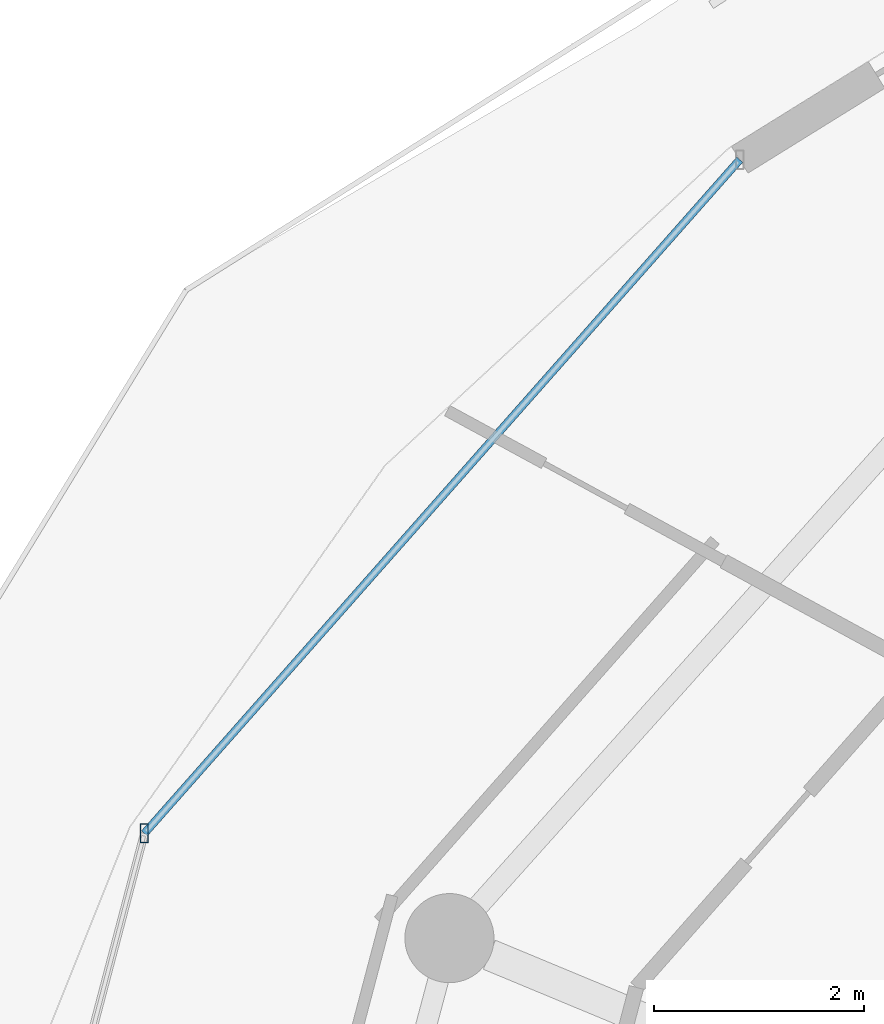
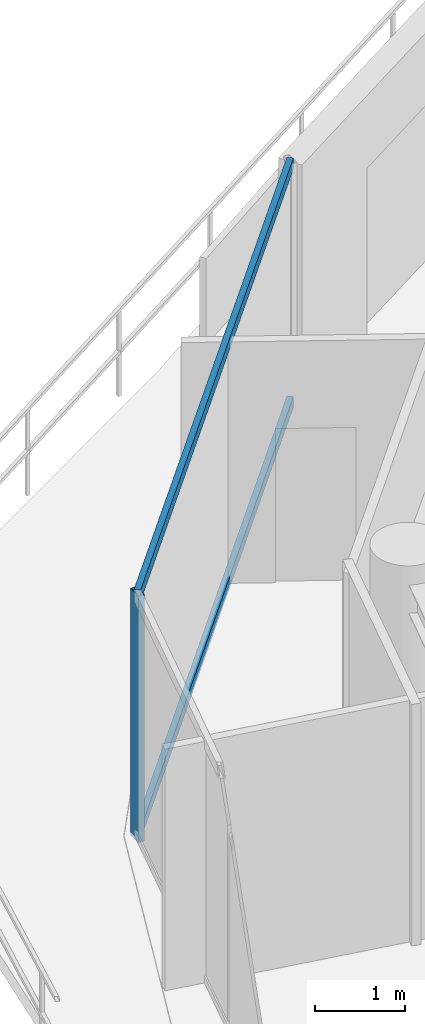
# One storey, part 8 of 29: 3 members, 1 element without a shape of its own.
"""IFC4 building model written with IfcOpenShell, lengths in metres."""

from ifc_helpers import new_model, si_unit, direction, frame, origin, origin_2d, place, context, subcontext, project, spatial, hollow_rectangle, extrude, material, material_profile, profile_set, type_object, element, aggregate, save


model = new_model("IFC4")

# Units and contexts
model_context = context("Model", 3, precision=1e-05, world=origin(), true_north=direction((0.0, 1.0)))
body_context = subcontext(model_context, "Body", "Model", "MODEL_VIEW")
ifc_project = project(units=[si_unit("LENGTHUNIT", "METRE"), si_unit("AREAUNIT", "SQUARE_METRE"), si_unit("VOLUMEUNIT", "CUBIC_METRE"), si_unit("PLANEANGLEUNIT", "RADIAN"), si_unit("MASSUNIT", "GRAM", prefix="KILO")], contexts=[model_context])

# Site, building, storey
site_placement = place(None, origin())
site = spatial("IfcSite", under=ifc_project, at=site_placement, CompositionType="ELEMENT")
building_placement = place(site_placement, origin())
building = spatial("IfcBuilding", under=site, at=building_placement, Name="Vorneva Point Tower", CompositionType="ELEMENT")
storey_placement = place(building_placement, frame((0.0, 0.0, 273.300048828125)))
storey = spatial("IfcBuildingStorey", under=building, at=storey_placement, Name="L74", CompositionType="ELEMENT", Elevation=273.300048828125)

# Curtain wall, members
ifc_material = material(Name="Pale anodised aluminium", Category="aluminium")
curtain_wall_type = type_object("IfcCurtainWallType", Name="CW-RES-SYS", PredefinedType="NOTDEFINED", material=ifc_material)
curtain_wall_placement = place(storey_placement, origin())
curtain_wall = element("IfcCurtainWall", 1, at=curtain_wall_placement, inside=storey, type_object=curtain_wall_type, Name="L74 Unitised Curtain Wall CW-L74-R03", PredefinedType="NOTDEFINED")
ifc_material_profile_1 = material_profile(ifc_material, hollow_rectangle(XDim=0.074951171875, YDim=0.179931640625, WallThickness=0.00390625, at=origin_2d()), Name="AL-MUL 180x75x4")
ifc_profile_set_1 = profile_set([ifc_material_profile_1], Name="Pale anodised aluminium")
member_type_1 = type_object("IfcMemberType", Name="CW-MUL-180", PredefinedType="MULLION", material=ifc_profile_set_1)
member_1_placement = place(storey_placement, frame((13.79443359375, 33.5810546875, -0.0400390625), z_axis=(0.0, 0.0, 1.0), x_axis=(1.0, 0.0, 0.0)))
member_1 = element("IfcMember", 2, at=member_1_placement, type_object=member_type_1, Name="CW-L74-R03 Mullion 02", PredefinedType="MULLION", context=body_context, shape_type="SweptSolid", body=[
    extrude(hollow_rectangle(XDim=0.074951171875, YDim=0.179931640625, WallThickness=0.00390625, at=origin_2d()), origin(), (0.0, 0.0, 1.0), 3.360107421875),
])
ifc_material_profile_2 = material_profile(ifc_material, hollow_rectangle(XDim=0.074951171875, YDim=0.14990234375, WallThickness=0.00390625, at=origin_2d()), Name="AL-TRN 150x75x4")
ifc_profile_set_2 = profile_set([ifc_material_profile_2], Name="Pale anodised aluminium")
member_type_2 = type_object("IfcMemberType", Name="CW-TRN-150", PredefinedType="USERDEFINED", material=ifc_profile_set_2)
member_2_placement = place(storey_placement, frame((19.473876953125, 40.0078125, 0.02001953125), z_axis=(-0.662196681357, -0.74933007093, 0.0), x_axis=(0.74933007093, -0.662196681357, 0.0)))
member_2 = element("IfcMember", 3, at=member_2_placement, type_object=member_type_2, Name="CW-L74-R03 Transom 01.1", ObjectType="TRANSOM", PredefinedType="USERDEFINED", context=body_context, shape_type="SweptSolid", body=[
    extrude(hollow_rectangle(XDim=0.074951171875, YDim=0.14990234375, WallThickness=0.00390625, at=origin_2d()), origin(), (0.0, 0.0, 1.0), 8.57666015625),
])
member_3_placement = place(storey_placement, frame((19.473876953125, 40.0078125, 3.27001953125), z_axis=(-0.662196681357, -0.74933007093, 0.0), x_axis=(0.74933007093, -0.662196681357, 0.0)))
member_3 = element("IfcMember", 4, at=member_3_placement, type_object=member_type_2, Name="CW-L74-R03 Transom 01.2", ObjectType="TRANSOM", PredefinedType="USERDEFINED", context=body_context, shape_type="SweptSolid", body=[
    extrude(hollow_rectangle(XDim=0.074951171875, YDim=0.14990234375, WallThickness=0.00390625, at=origin_2d()), origin(), (0.0, 0.0, 1.0), 8.57666015625),
])
aggregate(curtain_wall, [member_1, member_2, member_3])

save(model, "model.ifc")
